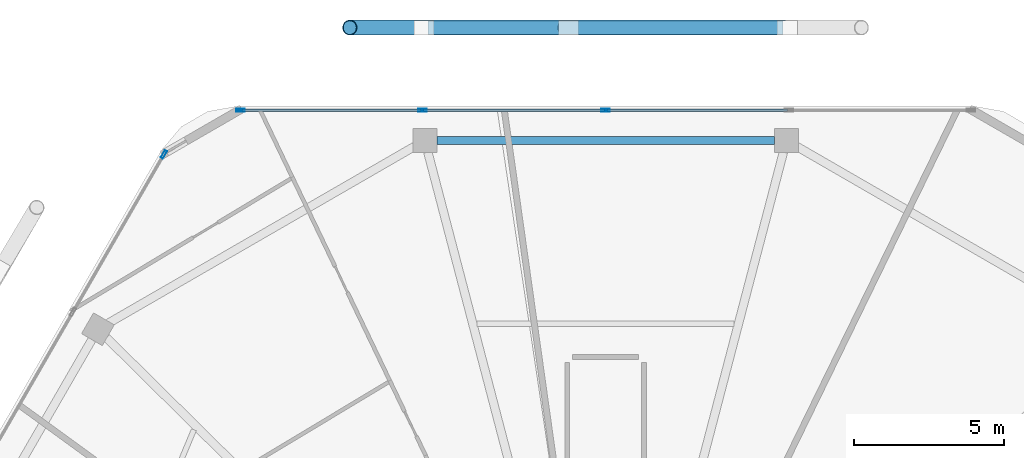
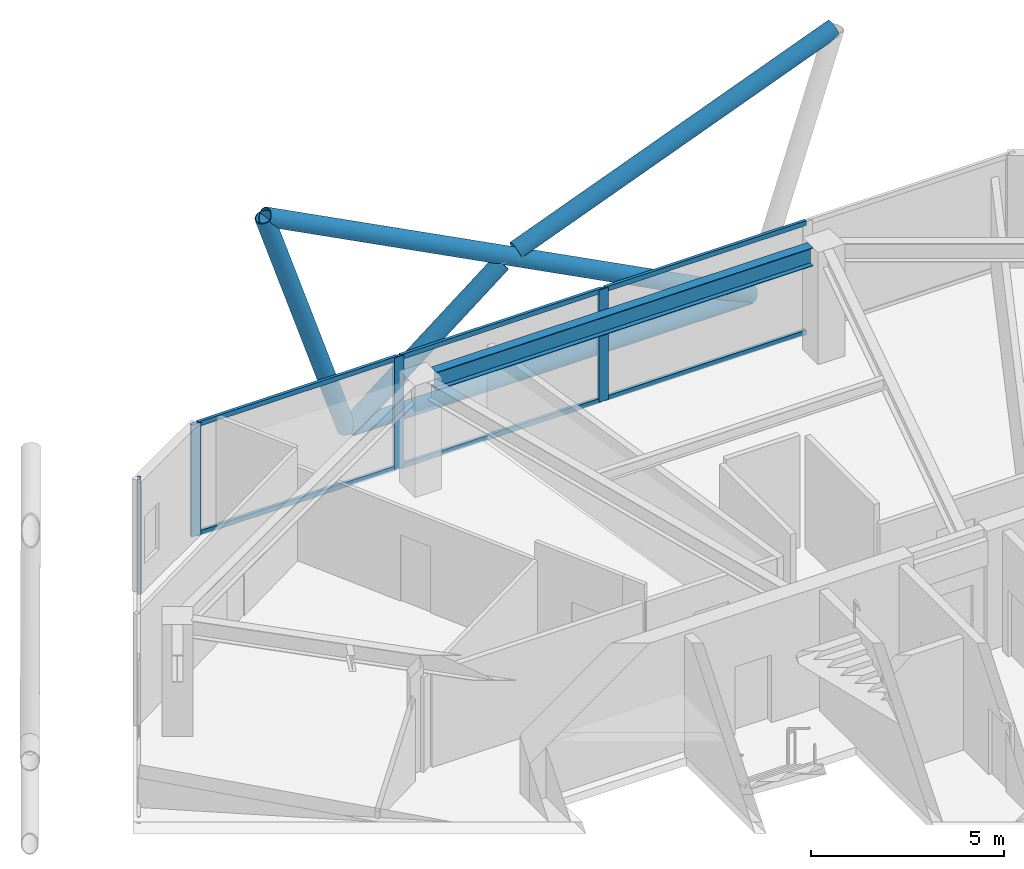
# One storey, part 12 of 24: 15 members, 1 beam, 2 elements without a shape of their own.
"""IFC4 building model written with IfcOpenShell, lengths in metres."""

from ifc_helpers import new_model, si_unit, direction, frame, origin, origin_2d, place, context, subcontext, project, spatial, hollow_rectangle, hollow_circle, i_section, extrude, material, material_profile, profile_set, type_object, element, aggregate, save


model = new_model("IFC4")

# Units and contexts
model_context = context("Model", 3, precision=1e-05, world=origin(), true_north=direction((0.0, 1.0)))
body_context = subcontext(model_context, "Body", "Model", "MODEL_VIEW")
ifc_project = project(units=[si_unit("LENGTHUNIT", "METRE"), si_unit("AREAUNIT", "SQUARE_METRE"), si_unit("VOLUMEUNIT", "CUBIC_METRE"), si_unit("PLANEANGLEUNIT", "RADIAN"), si_unit("MASSUNIT", "GRAM", prefix="KILO")], contexts=[model_context])

# Site, building, storey
site_placement = place(None, origin())
site = spatial("IfcSite", under=ifc_project, at=site_placement, CompositionType="ELEMENT")
building_placement = place(site_placement, origin())
building = spatial("IfcBuilding", under=site, at=building_placement, Name="Zuhravey Tower", CompositionType="ELEMENT")
storey_placement = place(building_placement, frame((0.0, 0.0, 308.199951171875)))
storey = spatial("IfcBuildingStorey", under=building, at=storey_placement, Name="L78", CompositionType="ELEMENT", Elevation=308.199951171875)

# Curtain wall, member
ifc_material_1 = material(Name="Thermally broken anodised aluminium", Category="aluminium")
curtain_wall_type = type_object("IfcCurtainWallType", Name="Zone 3-4 High-Rise Curtain Wall CW4", PredefinedType="NOTDEFINED", material=ifc_material_1)
curtain_wall_1_placement = place(storey_placement, origin())
curtain_wall_1 = element("IfcCurtainWall", 1, at=curtain_wall_1_placement, inside=storey, type_object=curtain_wall_type, Name="L78 CW4 CW-L78-F3-1", PredefinedType="NOTDEFINED")
ifc_material_2 = material(Name="Anodised aluminium", Category="aluminium")
ifc_material_profile_1 = material_profile(ifc_material_2, hollow_rectangle(XDim=0.090087890625, YDim=0.284912109375, WallThickness=0.0048828125, at=origin_2d()), Name="ALU-RHS-90x285x5")
ifc_profile_set_1 = profile_set([ifc_material_profile_1], Name="Anodised aluminium")
member_type_1 = type_object("IfcMemberType", Name="Curtain-Wall Mullion 90x180", PredefinedType="MULLION", material=ifc_profile_set_1)
member_1_placement = place(storey_placement, frame((21.248291015625, 54.59765625, 0.0), z_axis=(0.0, 0.0, 1.0), x_axis=(-0.866025511541, 0.49999981336, 0.0)))
member_1 = element("IfcMember", 2, at=member_1_placement, type_object=member_type_1, Name="CW4 mullion 5", PredefinedType="MULLION", context=body_context, shape_type="SweptSolid", body=[
    extrude(hollow_rectangle(XDim=0.090087890625, YDim=0.284912109375, WallThickness=0.0048828125, at=origin_2d()), origin(), (0.0, 0.0, 1.0), 3.550048828125),
])
aggregate(curtain_wall_1, [member_1])

# Curtain wall, members
curtain_wall_2_placement = place(storey_placement, origin())
curtain_wall_2 = element("IfcCurtainWall", 3, at=curtain_wall_2_placement, inside=storey, type_object=curtain_wall_type, Name="L78 CW4 CW-L78-F2-1", PredefinedType="NOTDEFINED")
member_2_placement = place(storey_placement, frame((23.8056640625, 56.07421875, 0.0), z_axis=(0.0, 0.0, 1.0), x_axis=(0.0, 1.0, 0.0)))
member_2 = element("IfcMember", 4, at=member_2_placement, type_object=member_type_1, Name="CW4 mullion 1", PredefinedType="MULLION", context=body_context, shape_type="SweptSolid", body=[
    extrude(hollow_rectangle(XDim=0.090087890625, YDim=0.284912109375, WallThickness=0.0048828125, at=origin_2d()), origin(), (0.0, 0.0, 1.0), 3.550048828125),
])
member_3_placement = place(storey_placement, frame((29.88037109375, 56.07421875, 0.0), z_axis=(0.0, 0.0, 1.0), x_axis=(0.0, 1.0, 0.0)))
member_3 = element("IfcMember", 5, at=member_3_placement, type_object=member_type_1, Name="CW4 mullion 2", PredefinedType="MULLION", context=body_context, shape_type="SweptSolid", body=[
    extrude(hollow_rectangle(XDim=0.090087890625, YDim=0.284912109375, WallThickness=0.0048828125, at=origin_2d()), origin(), (0.0, 0.0, 1.0), 3.550048828125),
])
member_4_placement = place(storey_placement, frame((36.0, 56.07421875, 0.0), z_axis=(0.0, 0.0, 1.0), x_axis=(0.0, 1.0, 0.0)))
member_4 = element("IfcMember", 6, at=member_4_placement, type_object=member_type_1, Name="CW4 mullion 3", PredefinedType="MULLION", context=body_context, shape_type="SweptSolid", body=[
    extrude(hollow_rectangle(XDim=0.090087890625, YDim=0.284912109375, WallThickness=0.0048828125, at=origin_2d()), origin(), (0.0, 0.0, 1.0), 3.550048828125),
])
ifc_material_profile_2 = material_profile(ifc_material_2, hollow_rectangle(XDim=0.090087890625, YDim=0.14990234375, WallThickness=0.0048828125, at=origin_2d()), Name="ALU-RHS-90x150x5")
ifc_profile_set_2 = profile_set([ifc_material_profile_2], Name="Anodised aluminium")
member_type_2 = type_object("IfcMemberType", Name="Curtain-Wall Transom 90x150", PredefinedType="USERDEFINED", material=ifc_profile_set_2)
member_5_placement = place(storey_placement, frame((23.8505859375, 56.07421875, 0.045166015625), z_axis=(1.0, 0.0, 0.0), x_axis=(0.0, 1.0, 0.0)))
member_5 = element("IfcMember", 7, at=member_5_placement, type_object=member_type_2, Name="CW4 transom 1.1", ObjectType="TRANSOM", PredefinedType="USERDEFINED", context=body_context, shape_type="SweptSolid", body=[
    extrude(hollow_rectangle(XDim=0.090087890625, YDim=0.14990234375, WallThickness=0.0048828125, at=origin_2d()), origin(), (0.0, 0.0, 1.0), 5.98486328125),
])
member_6_placement = place(storey_placement, frame((23.8505859375, 56.07421875, 3.505126953125), z_axis=(1.0, 0.0, 0.0), x_axis=(0.0, 1.0, 0.0)))
member_6 = element("IfcMember", 8, at=member_6_placement, type_object=member_type_2, Name="CW4 transom 1.2", ObjectType="TRANSOM", PredefinedType="USERDEFINED", context=body_context, shape_type="SweptSolid", body=[
    extrude(hollow_rectangle(XDim=0.090087890625, YDim=0.14990234375, WallThickness=0.0048828125, at=origin_2d()), origin(), (0.0, 0.0, 1.0), 5.98486328125),
])
member_7_placement = place(storey_placement, frame((29.92529296875, 56.07421875, 0.045166015625), z_axis=(1.0, 0.0, 0.0), x_axis=(0.0, 1.0, 0.0)))
member_7 = element("IfcMember", 9, at=member_7_placement, type_object=member_type_2, Name="CW4 transom 2.1", ObjectType="TRANSOM", PredefinedType="USERDEFINED", context=body_context, shape_type="SweptSolid", body=[
    extrude(hollow_rectangle(XDim=0.090087890625, YDim=0.14990234375, WallThickness=0.0048828125, at=origin_2d()), origin(), (0.0, 0.0, 1.0), 6.02978515625),
])
member_8_placement = place(storey_placement, frame((29.92529296875, 56.07421875, 3.505126953125), z_axis=(1.0, 0.0, 0.0), x_axis=(0.0, 1.0, 0.0)))
member_8 = element("IfcMember", 10, at=member_8_placement, type_object=member_type_2, Name="CW4 transom 2.2", ObjectType="TRANSOM", PredefinedType="USERDEFINED", context=body_context, shape_type="SweptSolid", body=[
    extrude(hollow_rectangle(XDim=0.090087890625, YDim=0.14990234375, WallThickness=0.0048828125, at=origin_2d()), origin(), (0.0, 0.0, 1.0), 6.02978515625),
])
member_9_placement = place(storey_placement, frame((36.044921875, 56.07421875, 0.045166015625), z_axis=(1.0, 0.0, 0.0), x_axis=(0.0, 1.0, 0.0)))
member_9 = element("IfcMember", 11, at=member_9_placement, type_object=member_type_2, Name="CW4 transom 3.1", ObjectType="TRANSOM", PredefinedType="USERDEFINED", context=body_context, shape_type="SweptSolid", body=[
    extrude(hollow_rectangle(XDim=0.090087890625, YDim=0.14990234375, WallThickness=0.0048828125, at=origin_2d()), origin(), (0.0, 0.0, 1.0), 6.02978515625),
])
member_10_placement = place(storey_placement, frame((36.044921875, 56.07421875, 3.505126953125), z_axis=(1.0, 0.0, 0.0), x_axis=(0.0, 1.0, 0.0)))
member_10 = element("IfcMember", 12, at=member_10_placement, type_object=member_type_2, Name="CW4 transom 3.2", ObjectType="TRANSOM", PredefinedType="USERDEFINED", context=body_context, shape_type="SweptSolid", body=[
    extrude(hollow_rectangle(XDim=0.090087890625, YDim=0.14990234375, WallThickness=0.0048828125, at=origin_2d()), origin(), (0.0, 0.0, 1.0), 6.02978515625),
])
aggregate(curtain_wall_2, [member_2, member_3, member_4, member_5, member_6, member_7, member_8, member_9, member_10])

# Members
ifc_material_3 = material(Name="Steel SM355", Category="steel")
ifc_material_profile_3 = material_profile(ifc_material_3, hollow_circle(Radius=0.228515625, WallThickness=0.02197265625, at=origin_2d()), Name="CHS-457.2x22")
ifc_profile_set_3 = profile_set([ifc_material_profile_3], Name="Steel SM355")
member_type_3 = type_object("IfcMemberType", Name="Exoskeleton Ring Tie CHS457x22", PredefinedType="CHORD", material=ifc_profile_set_3)
member_11_placement = place(storey_placement, frame((41.927490234375, 58.833984375, -0.4638671875), z_axis=(-1.0, 0.0, 0.0), x_axis=(0.0, -1.0, 0.0)))
element("IfcMember", 13, at=member_11_placement, inside=storey, type_object=member_type_3, Name="L78 Exoskeleton Face 2 Tie EXR1", PredefinedType="CHORD", context=body_context, shape_type="SweptSolid", body=[
    extrude(hollow_circle(Radius=0.228515625, WallThickness=0.02197265625, at=origin_2d()), origin(), (0.0, 0.0, 1.0), 11.85498046875),
])
ifc_material_profile_4 = material_profile(ifc_material_3, hollow_circle(Radius=0.25390625, WallThickness=0.02490234375, at=origin_2d()), Name="CHS-508.0x25")
ifc_profile_set_4 = profile_set([ifc_material_profile_4], Name="Steel SM355")
member_type_4 = type_object("IfcMemberType", Name="Exoskeleton Zone 4 Diagrid CHS508x25", PredefinedType="BRACE", material=ifc_profile_set_4)
member_12_placement = place(storey_placement, frame((42.03662109375, 58.833984375, -0.447998046875), z_axis=(-0.887234343801, 0.0, 0.461318999371), x_axis=(0.0, -1.0, 0.0)))
element("IfcMember", 14, at=member_12_placement, inside=storey, type_object=member_type_4, Name="L78 Face 2 Diagrid Brace 2", PredefinedType="BRACE", context=body_context, shape_type="SweptSolid", body=[
    extrude(hollow_circle(Radius=0.25390625, WallThickness=0.02490234375, at=origin_2d()), origin(), (0.0, 0.0, 1.0), 16.4052734375),
])
member_13_placement = place(storey_placement, frame((29.927490234375, 58.833984375, -0.447998046875), z_axis=(-0.310453809256, 0.0, 0.950588466329), x_axis=(0.0, -1.0, 0.0)))
element("IfcMember", 15, at=member_13_placement, inside=storey, type_object=member_type_4, Name="L78 Face 2 Diagrid Brace 4", PredefinedType="BRACE", context=body_context, shape_type="SweptSolid", body=[
    extrude(hollow_circle(Radius=0.25390625, WallThickness=0.02490234375, at=origin_2d()), origin(), (0.0, 0.0, 1.0), 7.96142578125),
])
member_14_placement = place(storey_placement, frame((29.9599609375, 58.833984375, -0.4423828125), z_axis=(0.785695252291, 0.0, 0.618613749061), x_axis=(0.0, 1.0, 0.0)))
element("IfcMember", 16, at=member_14_placement, inside=storey, type_object=member_type_4, Name="L78 Face 2 Split Diagrid Brace 3A", PredefinedType="BRACE", context=body_context, shape_type="SweptSolid", body=[
    extrude(hollow_circle(Radius=0.25390625, WallThickness=0.02490234375, at=origin_2d()), origin(), (0.0, 0.0, 1.0), 5.86376953125),
])
member_15_placement = place(storey_placement, frame((34.986328125, 58.833984375, 3.42431640625), z_axis=(0.93224199469, 0.0, 0.361835409179), x_axis=(0.0, 1.0, 0.0)))
element("IfcMember", 17, at=member_15_placement, inside=storey, type_object=member_type_4, Name="L78 Face 2 Split Diagrid Brace 3B", PredefinedType="BRACE", context=body_context, shape_type="SweptSolid", body=[
    extrude(hollow_circle(Radius=0.25390625, WallThickness=0.02490234375, at=origin_2d()), origin(), (0.0, 0.0, 1.0), 10.223388671875),
])

# Beam
ifc_material_profile_5 = material_profile(ifc_material_3, i_section(OverallWidth=0.280029296875, OverallDepth=0.580078125, WebThickness=0.011962890625, FlangeThickness=0.01904296875, at=origin_2d()), Name="H-580x280x12x19")
ifc_profile_set_5 = profile_set([ifc_material_profile_5], Name="Steel SM355")
beam_type = type_object("IfcBeamType", Name="Perimeter Ring Beam H580x280", PredefinedType="BEAM", material=ifc_profile_set_5)
beam_placement = place(storey_placement, frame((41.6357421875, 55.064208984375, 3.260009765625), z_axis=(-1.0, 0.0, 0.0), x_axis=(0.0, -1.0, 0.0)))
element("IfcBeam", 18, at=beam_placement, inside=storey, type_object=beam_type, Name="L78 PB4 BM-L78-PB-03", PredefinedType="BEAM", context=body_context, shape_type="SweptSolid", body=[
    extrude(i_section(OverallWidth=0.280029296875, OverallDepth=0.580078125, WebThickness=0.011962890625, FlangeThickness=0.01904296875, at=origin_2d()), origin(), (0.0, 0.0, 1.0), 11.271484375),
])

save(model, "model.ifc")
